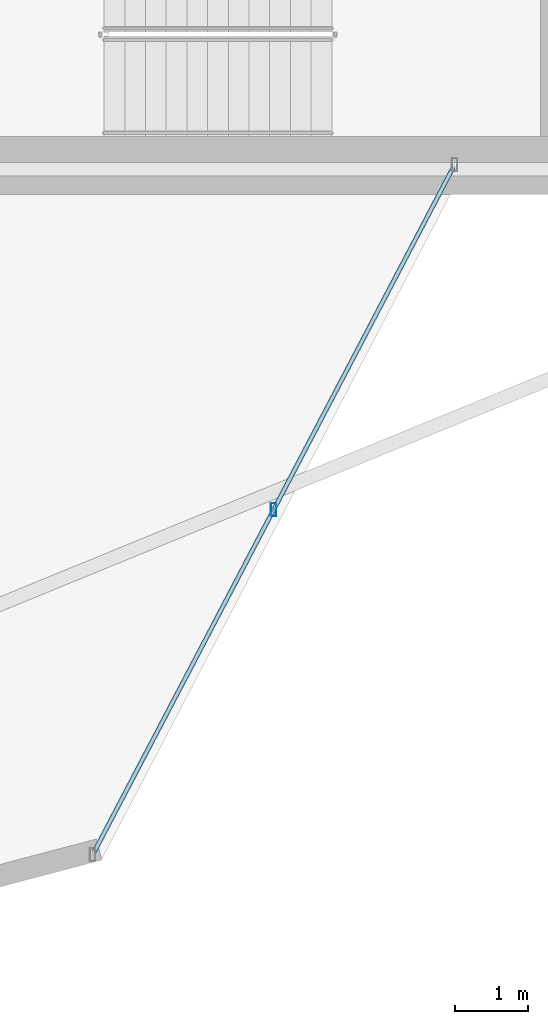
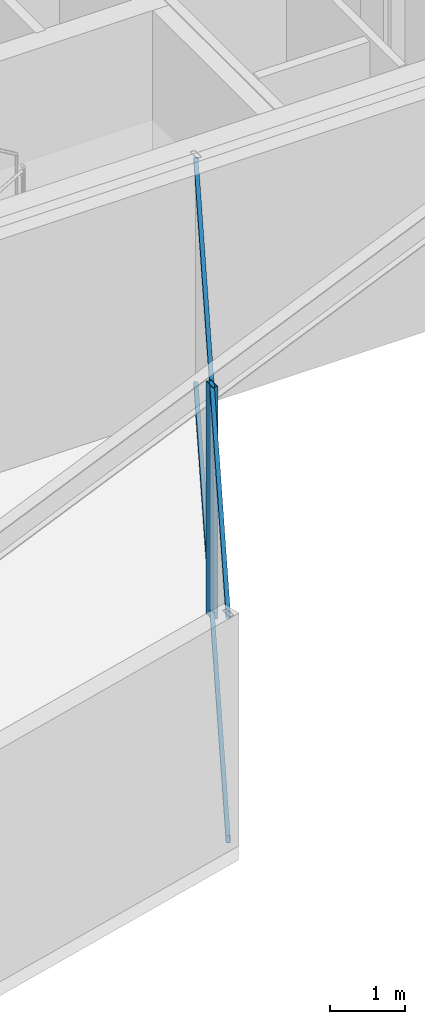
# One storey, part 12 of 25: 3 members, 1 element without a shape of its own.
"""IFC4 building model written with IfcOpenShell, lengths in metres."""

from ifc_helpers import new_model, si_unit, direction, frame, origin, origin_2d, place, context, subcontext, project, spatial, hollow_rectangle, extrude, material, layer, layer_set, material_profile, profile_set, type_object, element, aggregate, save


model = new_model("IFC4")

# Units and contexts
model_context = context("Model", 3, precision=1e-05, world=origin(), true_north=direction((0.0, 1.0)))
body_context = subcontext(model_context, "Body", "Model", "MODEL_VIEW")
ifc_project = project(units=[si_unit("LENGTHUNIT", "METRE"), si_unit("AREAUNIT", "SQUARE_METRE"), si_unit("VOLUMEUNIT", "CUBIC_METRE"), si_unit("PLANEANGLEUNIT", "RADIAN"), si_unit("MASSUNIT", "GRAM", prefix="KILO")], contexts=[model_context])

# Site, building, storey
site_placement = place(None, origin())
site = spatial("IfcSite", under=ifc_project, at=site_placement, CompositionType="ELEMENT")
building_placement = place(site_placement, origin())
building = spatial("IfcBuilding", under=site, at=building_placement, Name="Veymaron Broadcast Tower", CompositionType="ELEMENT")
storey_placement = place(building_placement, frame((0.0, 0.0, 141.14990234375)))
storey = spatial("IfcBuildingStorey", under=building, at=storey_placement, Name="L32", CompositionType="ELEMENT", Elevation=141.14990234375)

# Curtain wall, members
ifc_material_1 = material(Name="Anodised aluminium AA 6063-T6 and laminated low-E dark glass", Category="aluminium")
ifc_layer = layer(ifc_material_1, 0.179931640625)
ifc_layer_set = layer_set([ifc_layer], Name="Anodised aluminium AA 6063-T6 and laminated low-E dark glass")
curtain_wall_type = type_object("IfcCurtainWallType", Name="CW-SYS-03", PredefinedType="NOTDEFINED", material=ifc_layer_set)
curtain_wall_placement = place(storey_placement, origin())
curtain_wall = element("IfcCurtainWall", 1, at=curtain_wall_placement, inside=storey, type_object=curtain_wall_type, Name="L32 dark-glass curtain wall CW-L32-E20-1", PredefinedType="NOTDEFINED")
ifc_material_2 = material(Name="Anodised aluminium AA 6063-T6", Category="aluminium")
ifc_material_profile_1 = material_profile(ifc_material_2, hollow_rectangle(XDim=0.074951171875, YDim=0.179931640625, WallThickness=0.0048828125, at=origin_2d()), Name="AL180X75X5")
ifc_profile_set_1 = profile_set([ifc_material_profile_1], Name="Anodised aluminium AA 6063-T6")
member_type_1 = type_object("IfcMemberType", Name="CW-MUL-02", PredefinedType="MULLION", material=ifc_profile_set_1)
member_1_placement = place(storey_placement, frame((43.76513671875, 11.31494140625, 0.0), z_axis=(0.0, 0.0, 1.0), x_axis=(1.0, 0.0, 0.0)))
member_1 = element("IfcMember", 2, at=member_1_placement, type_object=member_type_1, Name="CW-L32-E20-1 mullion 1", PredefinedType="MULLION", context=body_context, shape_type="SweptSolid", body=[
    extrude(hollow_rectangle(XDim=0.074951171875, YDim=0.179931640625, WallThickness=0.0048828125, at=origin_2d()), origin(), (0.0, 0.0, 1.0), 3.81005859375),
])
ifc_material_profile_2 = material_profile(ifc_material_2, hollow_rectangle(XDim=0.06005859375, YDim=0.1201171875, WallThickness=0.00390625, at=origin_2d()), Name="AL120X60X4")
ifc_profile_set_2 = profile_set([ifc_material_profile_2], Name="Anodised aluminium AA 6063-T6")
member_type_2 = type_object("IfcMemberType", Name="CW-TRN-02", PredefinedType="USERDEFINED", material=ifc_profile_set_2)
member_2_placement = place(storey_placement, frame((41.297119140625, 6.609375, 0.070068359375), z_axis=(0.464469622178, 0.885589052594, 0.0), x_axis=(-0.885589052594, 0.464469622178, 0.0)))
member_2 = element("IfcMember", 3, at=member_2_placement, type_object=member_type_2, Name="CW-L32-E20-1 transom B", ObjectType="TRANSOM", PredefinedType="USERDEFINED", context=body_context, shape_type="SweptSolid", body=[
    extrude(hollow_rectangle(XDim=0.06005859375, YDim=0.1201171875, WallThickness=0.00390625, at=origin_2d()), origin(), (0.0, 0.0, 1.0), 10.627197265625),
])
member_3_placement = place(storey_placement, frame((41.297119140625, 6.609375, 3.739990234375), z_axis=(0.464469622178, 0.885589052594, 0.0), x_axis=(-0.885589052594, 0.464469622178, 0.0)))
member_3 = element("IfcMember", 4, at=member_3_placement, type_object=member_type_2, Name="CW-L32-E20-1 transom T", ObjectType="TRANSOM", PredefinedType="USERDEFINED", context=body_context, shape_type="SweptSolid", body=[
    extrude(hollow_rectangle(XDim=0.06005859375, YDim=0.1201171875, WallThickness=0.00390625, at=origin_2d()), origin(), (0.0, 0.0, 1.0), 10.627197265625),
])
aggregate(curtain_wall, [member_1, member_2, member_3])

save(model, "model.ifc")
